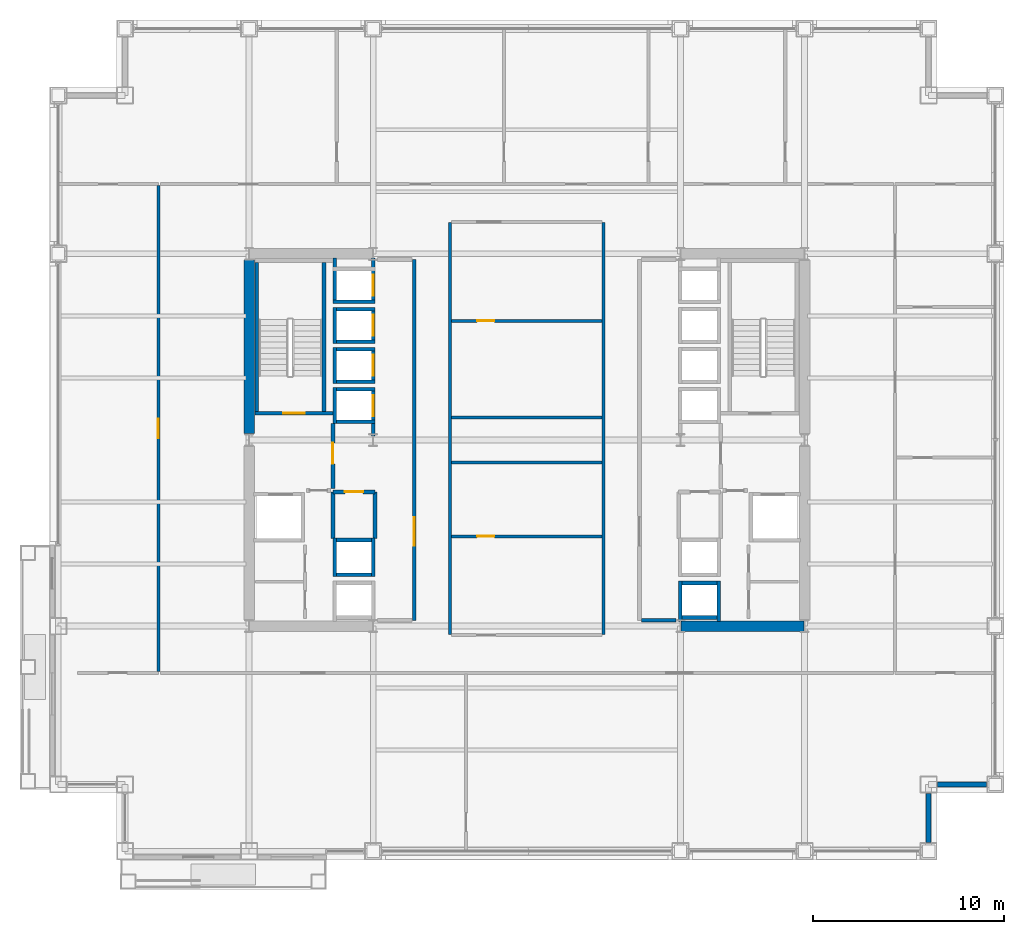
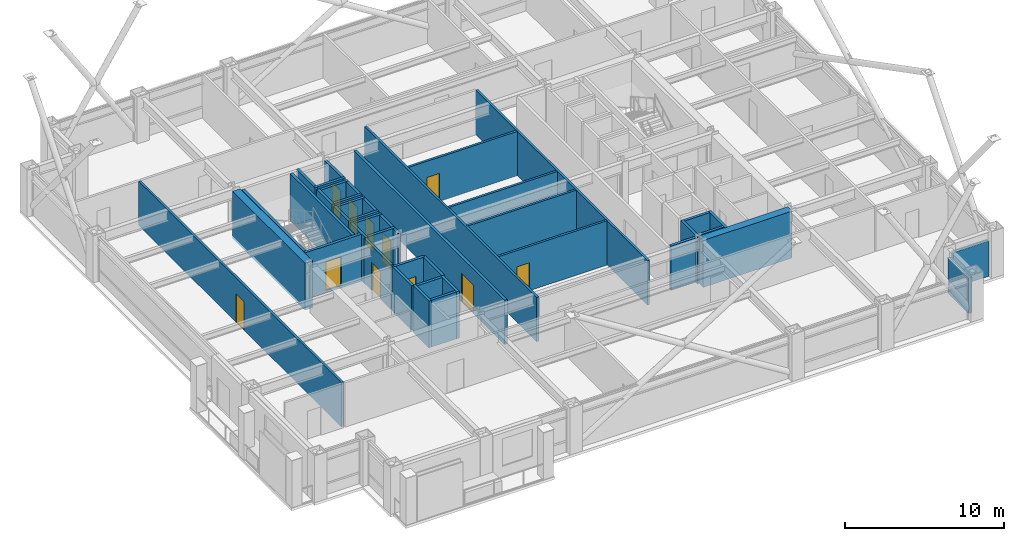
# One storey, part 25 of 29: 43 walls, 11 doors, 11 openings.
"""IFC4 building model written with IfcOpenShell, lengths in metres."""

from ifc_helpers import new_model, si_unit, direction, frame, frame_2d, origin, place, context, subcontext, project, spatial, rectangle, extrude, material, layer, layer_set, type_object, element, fill, save


model = new_model("IFC4")

# Units and contexts
model_context = context("Model", 3, precision=1e-05, world=origin(), true_north=direction((0.0, 1.0)))
body_context = subcontext(model_context, "Body", "Model", "MODEL_VIEW")
ifc_project = project(units=[si_unit("LENGTHUNIT", "METRE"), si_unit("AREAUNIT", "SQUARE_METRE"), si_unit("VOLUMEUNIT", "CUBIC_METRE"), si_unit("PLANEANGLEUNIT", "RADIAN"), si_unit("MASSUNIT", "GRAM", prefix="KILO")], contexts=[model_context])

# Site, building, storey
site_placement = place(None, origin())
site = spatial("IfcSite", under=ifc_project, at=site_placement, CompositionType="ELEMENT")
building_placement = place(site_placement, origin())
building = spatial("IfcBuilding", under=site, at=building_placement, Name="Brelmoor Portico Tower", CompositionType="ELEMENT")
storey_placement = place(building_placement, frame((0.0, 0.0, 67.199951171875)))
storey = spatial("IfcBuildingStorey", under=building, at=storey_placement, Name="L17", CompositionType="ELEMENT", Elevation=67.199951171875)

# Walls
ifc_material_1 = material(Name="Concrete C60", Category="concrete")
ifc_layer_1 = layer(ifc_material_1, 0.550048828125)
ifc_layer_set_1 = layer_set([ifc_layer_1], Name="Concrete C60")
wall_type_1 = type_object("IfcWallType", Name="WL-CORE-550", PredefinedType="SHEAR", material=ifc_layer_set_1)
wall_1_placement = place(storey_placement, frame((-14.550048828125, 0.324951171875, -0.199951171875), z_axis=(0.0, 0.0, 1.0), x_axis=(0.0, 1.0, 0.0)))
element("IfcWall", 1, at=wall_1_placement, inside=storey, type_object=wall_type_1, Name="L17 WC Outer North Shear Wall", PredefinedType="SHEAR", context=body_context, shape_type="SweptSolid", body=[
    extrude(rectangle(XDim=9.10009765625, YDim=0.550048828125, at=frame_2d((4.550048828125, 0.0))), origin(), (0.0, 0.0, 1.0), 3.60009765625),
])
wall_2_placement = place(storey_placement, frame((8.070068359375, -9.75, -0.199951171875), z_axis=(0.0, 0.0, 1.0), x_axis=(1.0, 0.0, 0.0)))
element("IfcWall", 2, at=wall_2_placement, inside=storey, type_object=wall_type_1, Name="L17 EC South Shear Wall", PredefinedType="SHEAR", context=body_context, shape_type="SweptSolid", body=[
    extrude(rectangle(XDim=6.4599609375, YDim=0.550048828125, at=frame_2d((3.22998046875, 0.0))), origin(), (0.0, 0.0, 1.0), 3.60009765625),
])
ifc_material_2 = material(Name="Precast Concrete C40 Insulated Facade Wall", Category="concrete")
ifc_layer_2 = layer(ifc_material_2, 0.25)
ifc_layer_set_2 = layer_set([ifc_layer_2], Name="Precast Concrete C40 Insulated Facade Wall")
wall_type_2 = type_object("IfcWallType", Name="WL-EXT-250", PredefinedType="STANDARD", material=ifc_layer_set_2)
for number, where, z_axis, x_axis, name in (
    (3, (21.510009765625, -18.050048828125, 0.0), (0.0, 0.0, 1.0), (1.0, 0.0, 0.0), "L17 Corner Notch Facade Wall NSEH1"),
    (4, (21.050048828125, -21.090087890625, 0.0), (0.0, 0.0, 1.0), (0.0, 1.0, 0.0), "L17 Corner Notch Facade Wall NSEV1"),
):
    element("IfcWall", number, at=place(storey_placement, frame(where, z_axis=z_axis, x_axis=x_axis)), inside=storey, type_object=wall_type_2, Name=name, PredefinedType="STANDARD", context=body_context, shape_type="SweptSolid", body=[
        extrude(rectangle(XDim=2.580078125, YDim=0.25, at=frame_2d((1.2900390625, 0.0))), origin(), (0.0, 0.0, 1.0), 2.699951171875),
    ])
ifc_material_3 = material(Name="Twin-Frame Acoustic Partition", Category="gypsum")
ifc_layer_3 = layer(ifc_material_3, 0.159912109375)
ifc_layer_set_3 = layer_set([ifc_layer_3], Name="Twin-Frame Acoustic Partition")
wall_type_3 = type_object("IfcWallType", Name="WL-PART-160", PredefinedType="PARTITIONING", material=ifc_layer_set_3)
for number, where, z_axis, x_axis, name in (
    (5, (-4.02001953125, -10.199951171875, 0.0), (0.0, 0.0, 1.0), (0.0, 1.0, 0.0), "L17 Central Suite West Wall"),
    (6, (4.02001953125, -10.199951171875, 0.0), (0.0, 0.0, 1.0), (0.0, 1.0, 0.0), "L17 Central Suite East Wall"),
):
    element("IfcWall", number, at=place(storey_placement, frame(where, z_axis=z_axis, x_axis=x_axis)), inside=storey, type_object=wall_type_3, Name=name, PredefinedType="PARTITIONING", context=body_context, shape_type="SweptSolid", body=[
        extrude(rectangle(XDim=21.599853515625, YDim=0.159912109375, at=frame_2d((10.7998046875, 0.0))), origin(), (0.0, 0.0, 1.0), 3.400146484375),
    ])
for number, where, z_axis, x_axis, name in (
    (7, (-3.949951171875, 1.179931640625, 0.0), (0.0, 0.0, 1.0), (1.0, 0.0, 0.0), "L17 Central Meeting South Wall"),
    (8, (-3.949951171875, -1.179931640625, 0.0), (0.0, 0.0, 1.0), (1.0, 0.0, 0.0), "L17 Central Pantry North Wall"),
):
    element("IfcWall", number, at=place(storey_placement, frame(where, z_axis=z_axis, x_axis=x_axis)), inside=storey, type_object=wall_type_3, Name=name, PredefinedType="PARTITIONING", context=body_context, shape_type="SweptSolid", body=[
        extrude(rectangle(XDim=7.89990234375, YDim=0.159912109375, at=frame_2d((3.949951171875, 0.0))), origin(), (0.0, 0.0, 1.0), 3.400146484375),
    ])

# Wall, opening, door
wall_3_placement = place(storey_placement, frame((-3.949951171875, 6.239990234375, 0.0), z_axis=(0.0, 0.0, 1.0), x_axis=(1.0, 0.0, 0.0)))
wall_3 = element("IfcWall", 9, at=wall_3_placement, inside=storey, type_object=wall_type_3, Name="L17 Central Archive Divider", PredefinedType="PARTITIONING", context=body_context, shape_type="SweptSolid", body=[
    extrude(rectangle(XDim=7.89990234375, YDim=0.159912109375, at=frame_2d((3.949951171875, 0.0))), origin(), (0.0, 0.0, 1.0), 3.400146484375),
])
opening_1_placement = place(wall_3_placement, frame((1.35009765625, 0.0, 0.0)))
opening_1 = element("IfcOpeningElement", 10, at=opening_1_placement, cuts=wall_3, Name="Opening D-IN1", PredefinedType="OPENING", context=body_context, shape_type="SweptSolid", body=[
    extrude(rectangle(XDim=0.89990234375, YDim=2.14990234375, at=frame_2d((0.449951171875, 1.074951171875))), frame((0.0, 0.08984375, 0.0), z_axis=(0.0, -1.0, 0.0), x_axis=(1.0, 0.0, 0.0)), (0.0, 0.0, 1.0), 0.179931640625),
])
ifc_material_4 = material(Name="Lacquered Timber Suite Door", Category="wood")
door_type_1 = type_object("IfcDoorType", Name="DR-INT-900", OperationType="NOTDEFINED", PredefinedType="DOOR", material=ifc_material_4)
door_1_placement = place(opening_1_placement, origin())
door_1 = element("IfcDoor", 11, at=door_1_placement, inside=storey, type_object=door_type_1, Name="D-0754 L17 Central File Room Door", OperationType="SINGLE_SWING_RIGHT", OverallHeight=2.14990234375, OverallWidth=0.89990234375, PredefinedType="DOOR", context=body_context, shape_type="SweptSolid", body=[
    extrude(rectangle(XDim=0.89990234375, YDim=2.14990234375, at=frame_2d((0.449951171875, 1.074951171875))), frame((0.0, 0.02490234375, 0.0), z_axis=(0.0, -1.0, 0.0), x_axis=(1.0, 0.0, 0.0)), (0.0, 0.0, 1.0), 0.050048828125),
])
fill(opening_1, door_1)

wall_4_placement = place(storey_placement, frame((-3.949951171875, -5.050048828125, 0.0), z_axis=(0.0, 0.0, 1.0), x_axis=(1.0, 0.0, 0.0)))
wall_4 = element("IfcWall", 12, at=wall_4_placement, inside=storey, type_object=wall_type_3, Name="L17 Central Print Divider", PredefinedType="PARTITIONING", context=body_context, shape_type="SweptSolid", body=[
    extrude(rectangle(XDim=7.89990234375, YDim=0.159912109375, at=frame_2d((3.949951171875, 0.0))), origin(), (0.0, 0.0, 1.0), 3.400146484375),
])
opening_2_placement = place(wall_4_placement, frame((1.35009765625, 0.0, 0.0)))
opening_2 = element("IfcOpeningElement", 13, at=opening_2_placement, cuts=wall_4, Name="Opening D-IN1", PredefinedType="OPENING", context=body_context, shape_type="SweptSolid", body=[
    extrude(rectangle(XDim=0.89990234375, YDim=2.14990234375, at=frame_2d((0.449951171875, 1.074951171875))), frame((0.0, 0.08984375, 0.0), z_axis=(0.0, -1.0, 0.0), x_axis=(1.0, 0.0, 0.0)), (0.0, 0.0, 1.0), 0.179931640625),
])
door_2_placement = place(opening_2_placement, origin())
door_2 = element("IfcDoor", 14, at=door_2_placement, inside=storey, type_object=door_type_1, Name="D-0756 L17 Central Print Studio Door", OperationType="SINGLE_SWING_LEFT", OverallHeight=2.14990234375, OverallWidth=0.89990234375, PredefinedType="DOOR", context=body_context, shape_type="SweptSolid", body=[
    extrude(rectangle(XDim=0.89990234375, YDim=2.14990234375, at=frame_2d((0.449951171875, 1.074951171875))), frame((0.0, 0.02490234375, 0.0), z_axis=(0.0, -1.0, 0.0), x_axis=(1.0, 0.0, 0.0)), (0.0, 0.0, 1.0), 0.050048828125),
])
fill(opening_2, door_2)

wall_5_placement = place(storey_placement, frame((-19.300048828125, -12.1201171875, 0.0), z_axis=(0.0, 0.0, 1.0), x_axis=(0.0, 1.0, 0.0)))
wall_5 = element("IfcWall", 15, at=wall_5_placement, inside=storey, type_object=wall_type_3, Name="L17 W Wing Corridor Wall", PredefinedType="PARTITIONING", context=body_context, shape_type="SweptSolid", body=[
    extrude(rectangle(XDim=25.440185546875, YDim=0.159912109375, at=frame_2d((12.72021484375, 0.0))), origin(), (0.0, 0.0, 1.0), 3.400146484375),
])
opening_3_placement = place(wall_5_placement, frame((12.2099609375, 0.0, 0.0)))
opening_3 = element("IfcOpeningElement", 16, at=opening_3_placement, cuts=wall_5, Name="Opening D-OF1", PredefinedType="OPENING", context=body_context, shape_type="SweptSolid", body=[
    extrude(rectangle(XDim=1.02001953125, YDim=2.199951171875, at=frame_2d((0.510009765625, 1.10009765625))), frame((0.0, 0.08984375, 0.0), z_axis=(0.0, -1.0, 0.0), x_axis=(1.0, 0.0, 0.0)), (0.0, 0.0, 1.0), 0.179931640625),
])
ifc_material_5 = material(Name="Hardwood Acoustic Veneer Door", Category="wood")
door_type_2 = type_object("IfcDoorType", Name="DR-OFFICE-1000", OperationType="NOTDEFINED", PredefinedType="DOOR", material=ifc_material_5)
door_3_placement = place(opening_3_placement, origin())
door_3 = element("IfcDoor", 17, at=door_3_placement, inside=storey, type_object=door_type_2, Name="D-0794 L17 W Project Strategy Office 1 Door", OperationType="SINGLE_SWING_RIGHT", OverallHeight=2.199951171875, OverallWidth=1.02001953125, PredefinedType="DOOR", context=body_context, shape_type="SweptSolid", body=[
    extrude(rectangle(XDim=1.02001953125, YDim=2.199951171875, at=frame_2d((0.510009765625, 1.10009765625))), frame((0.0, 0.02490234375, 0.0), z_axis=(0.0, -1.0, 0.0), x_axis=(1.0, 0.0, 0.0)), (0.0, 0.0, 1.0), 0.050048828125),
])
fill(opening_3, door_3)

ifc_material_6 = material(Name="Double-Stud Gypsum Fire Partition", Category="gypsum")
ifc_layer_4 = layer(ifc_material_6, 0.199951171875)
ifc_layer_set_4 = layer_set([ifc_layer_4], Name="Double-Stud Gypsum Fire Partition")
wall_type_4 = type_object("IfcWallType", Name="WL-PART-200", PredefinedType="PARTITIONING", material=ifc_layer_set_4)
wall_6_placement = place(storey_placement, frame((-5.89990234375, -9.449951171875, 0.0), z_axis=(0.0, 0.0, 1.0), x_axis=(0.0, 1.0, 0.0)))
wall_6 = element("IfcWall", 18, at=wall_6_placement, inside=storey, type_object=wall_type_4, Name="L17 W Core Lobby Compartment Wall", PredefinedType="PARTITIONING", context=body_context, shape_type="SweptSolid", body=[
    extrude(rectangle(XDim=18.89990234375, YDim=0.199951171875, at=frame_2d((9.449951171875, 0.0))), origin(), (0.0, 0.0, 1.0), 3.400146484375),
])
opening_4_placement = place(wall_6_placement, frame((3.89990234375, 0.0, 0.0)))
opening_4 = element("IfcOpeningElement", 19, at=opening_4_placement, cuts=wall_6, Name="Opening D-LB1", PredefinedType="OPENING", context=body_context, shape_type="SweptSolid", body=[
    extrude(rectangle(XDim=1.5, YDim=2.199951171875, at=frame_2d((0.75, 1.10009765625))), frame((0.0, 0.10986328125, 0.0), z_axis=(0.0, -1.0, 0.0), x_axis=(1.0, 0.0, 0.0)), (0.0, 0.0, 1.0), 0.219970703125),
])
ifc_material_7 = material(Name="Double-Leaf Glazed Steel Fire Door", Category="steel")
door_type_3 = type_object("IfcDoorType", Name="DR-LOBBY-1500", OperationType="NOTDEFINED", PredefinedType="DOOR", material=ifc_material_7)
door_4_placement = place(opening_4_placement, origin())
door_4 = element("IfcDoor", 20, at=door_4_placement, inside=storey, type_object=door_type_3, Name="D-0768 L17 W Lift Lobby Main Door", OperationType="DOUBLE_DOOR_SINGLE_SWING", OverallHeight=2.199951171875, OverallWidth=1.5, PredefinedType="DOOR", context=body_context, shape_type="SweptSolid", body=[
    extrude(rectangle(XDim=1.5, YDim=2.199951171875, at=frame_2d((0.75, 1.10009765625))), frame((0.0, 0.02490234375, 0.0), z_axis=(0.0, -1.0, 0.0), x_axis=(1.0, 0.0, 0.0)), (0.0, 0.0, 1.0), 0.050048828125),
])
fill(opening_4, door_4)

wall_7_placement = place(storey_placement, frame((-10.159912109375, -2.550048828125, 0.0), z_axis=(0.0, 0.0, 1.0), x_axis=(0.0, 1.0, 0.0)))
wall_7 = element("IfcWall", 21, at=wall_7_placement, inside=storey, type_object=wall_type_4, Name="L17 W Firefighting Lobby Wall", PredefinedType="PARTITIONING", context=body_context, shape_type="SweptSolid", body=[
    extrude(rectangle(XDim=3.400146484375, YDim=0.199951171875, at=frame_2d((1.7001953125, 0.0))), origin(), (0.0, 0.0, 1.0), 3.400146484375),
])
opening_5_placement = place(wall_7_placement, frame((1.300048828125, 0.0, 0.0)))
opening_5 = element("IfcOpeningElement", 22, at=opening_5_placement, cuts=wall_7, Name="Opening D-FR1", PredefinedType="OPENING", context=body_context, shape_type="SweptSolid", body=[
    extrude(rectangle(XDim=1.10009765625, YDim=2.14990234375, at=frame_2d((0.550048828125, 1.074951171875))), frame((0.0, 0.10986328125, 0.0), z_axis=(0.0, -1.0, 0.0), x_axis=(1.0, 0.0, 0.0)), (0.0, 0.0, 1.0), 0.219970703125),
])
ifc_material_8 = material(Name="Painted Galvanised Steel Fire Door", Category="steel")
door_type_4 = type_object("IfcDoorType", Name="DR-FIRE-1100", OperationType="NOTDEFINED", PredefinedType="DOOR", material=ifc_material_8)
door_5_placement = place(opening_5_placement, origin())
door_5 = element("IfcDoor", 23, at=door_5_placement, inside=storey, type_object=door_type_4, Name="D-0766 L17 W Firefighting Lobby Door", OperationType="SINGLE_SWING_RIGHT", OverallHeight=2.14990234375, OverallWidth=1.10009765625, PredefinedType="DOOR", context=body_context, shape_type="SweptSolid", body=[
    extrude(rectangle(XDim=1.10009765625, YDim=2.14990234375, at=frame_2d((0.550048828125, 1.074951171875))), frame((0.0, 0.02490234375, 0.0), z_axis=(0.0, -1.0, 0.0), x_axis=(1.0, 0.0, 0.0)), (0.0, 0.0, 1.0), 0.050048828125),
])
fill(opening_5, door_5)

wall_8_placement = place(storey_placement, frame((-7.9599609375, -2.719970703125, 0.0), z_axis=(0.0, 0.0, 1.0), x_axis=(-1.0, 0.0, 0.0)))
wall_8 = element("IfcWall", 24, at=wall_8_placement, inside=storey, type_object=wall_type_4, Name="L17 W Electrical Switchgear Closet Wall", PredefinedType="PARTITIONING", context=body_context, shape_type="SweptSolid", body=[
    extrude(rectangle(XDim=2.199951171875, YDim=0.199951171875, at=frame_2d((1.10009765625, 0.0))), origin(), (0.0, 0.0, 1.0), 3.400146484375),
])
opening_6_placement = place(wall_8_placement, frame((0.6201171875, 0.0, 0.0)))
opening_6 = element("IfcOpeningElement", 25, at=opening_6_placement, cuts=wall_8, Name="Opening D-FR4", PredefinedType="OPENING", context=body_context, shape_type="SweptSolid", body=[
    extrude(rectangle(XDim=0.949951171875, YDim=2.10009765625, at=frame_2d((0.47509765625, 1.050048828125))), frame((0.0, 0.10986328125, 0.0), z_axis=(0.0, -1.0, 0.0), x_axis=(1.0, 0.0, 0.0)), (0.0, 0.0, 1.0), 0.219970703125),
])
ifc_material_9 = material(Name="Painted Galvanised Steel Riser Door", Category="steel")
door_type_5 = type_object("IfcDoorType", Name="DR-FIRE-950", OperationType="NOTDEFINED", PredefinedType="DOOR", material=ifc_material_9)
door_6_placement = place(opening_6_placement, origin())
door_6 = element("IfcDoor", 26, at=door_6_placement, inside=storey, type_object=door_type_5, Name="D-0764 L17 W Electrical Switchgear Closet Door", OperationType="SINGLE_SWING_RIGHT", OverallHeight=2.10009765625, OverallWidth=0.949951171875, PredefinedType="DOOR", context=body_context, shape_type="SweptSolid", body=[
    extrude(rectangle(XDim=0.949951171875, YDim=2.10009765625, at=frame_2d((0.47509765625, 1.050048828125))), frame((0.0, 0.02490234375, 0.0), z_axis=(0.0, -1.0, 0.0), x_axis=(1.0, 0.0, 0.0)), (0.0, 0.0, 1.0), 0.050048828125),
])
fill(opening_6, door_6)

# Walls
for number, where, z_axis, x_axis, name in (
    (27, (-7.9599609375, -5.159912109375, 0.0), (0.0, 0.0, 1.0), (0.0, 1.0, 0.0), "L17 W Electrical Switchgear Closet Inner Wall"),
    (28, (-10.159912109375, -5.159912109375, 0.0), (0.0, 0.0, 1.0), (0.0, 1.0, 0.0), "L17 W Electrical Switchgear Closet Outer Wall"),
):
    element("IfcWall", number, at=place(storey_placement, frame(where, z_axis=z_axis, x_axis=x_axis)), inside=storey, type_object=wall_type_4, Name=name, PredefinedType="PARTITIONING", context=body_context, shape_type="SweptSolid", body=[
        extrude(rectangle(XDim=2.43994140625, YDim=0.199951171875, at=frame_2d((1.219970703125, 0.0))), origin(), (0.0, 0.0, 1.0), 3.400146484375),
    ])
wall_9_placement = place(storey_placement, frame((6.02001953125, -9.449951171875, 0.0), z_axis=(0.0, 0.0, 1.0), x_axis=(1.0, 0.0, 0.0)))
element("IfcWall", 29, at=wall_9_placement, inside=storey, type_object=wall_type_4, Name="L17 E Lift Lobby South End Wall", PredefinedType="PARTITIONING", context=body_context, shape_type="SweptSolid", body=[
    extrude(rectangle(XDim=1.800048828125, YDim=0.199951171875, at=frame_2d((0.89990234375, 0.0))), origin(), (0.0, 0.0, 1.0), 3.400146484375),
])

# Wall, opening, door
ifc_material_10 = material(Name="Precast Concrete C40", Category="concrete")
ifc_layer_5 = layer(ifc_material_10, 0.18994140625)
ifc_layer_set_5 = layer_set([ifc_layer_5], Name="Precast Concrete C40")
wall_type_5 = type_object("IfcWallType", Name="WL-SHAFT-180", PredefinedType="SOLIDWALL", material=ifc_layer_set_5)
wall_10_placement = place(storey_placement, frame((-8.044921875, 0.2099609375, -0.199951171875), z_axis=(0.0, 0.0, 1.0), x_axis=(0.0, 1.0, 0.0)))
wall_10 = element("IfcWall", 30, at=wall_10_placement, inside=storey, type_object=wall_type_5, Name="L17 Lift PL1 Hoistway Front Wall", PredefinedType="SOLIDWALL", context=body_context, shape_type="SweptSolid", body=[
    extrude(rectangle(XDim=2.5400390625, YDim=0.18994140625, at=frame_2d((1.27001953125, 0.0))), origin(), (0.0, 0.0, 1.0), 3.60009765625),
])
opening_7_placement = place(wall_10_placement, frame((1.0400390625, 0.0, 0.199951171875)))
opening_7 = element("IfcOpeningElement", 31, at=opening_7_placement, cuts=wall_10, Name="Opening LD-01", PredefinedType="OPENING", context=body_context, shape_type="SweptSolid", body=[
    extrude(rectangle(XDim=1.10009765625, YDim=2.199951171875, at=frame_2d((0.550048828125, 1.10009765625))), frame((0.0, 0.10498046875, 0.0), z_axis=(0.0, -1.0, 0.0), x_axis=(1.0, 0.0, 0.0)), (0.0, 0.0, 1.0), 0.2099609375),
])
ifc_material_11 = material(Name="Brushed Stainless Steel Sliding Lift Door", Category="steel")
door_type_6 = type_object("IfcDoorType", Name="DR-LIFT-1100", OperationType="NOTDEFINED", PredefinedType="DOOR", material=ifc_material_11)
door_7_placement = place(opening_7_placement, origin())
door_7 = element("IfcDoor", 32, at=door_7_placement, inside=storey, type_object=door_type_6, Name="D-0797 L17 Lift PL1 Sliding Landing Door", OperationType="SLIDING_TO_LEFT", OverallHeight=2.199951171875, OverallWidth=1.10009765625, PredefinedType="DOOR", context=body_context, shape_type="SweptSolid", body=[
    extrude(rectangle(XDim=1.10009765625, YDim=2.199951171875, at=frame_2d((0.550048828125, 1.10009765625))), frame((0.0, 0.02490234375, 0.0), z_axis=(0.0, -1.0, 0.0), x_axis=(1.0, 0.0, 0.0)), (0.0, 0.0, 1.0), 0.050048828125),
])
fill(opening_7, door_7)

# Walls
wall_11_placement = place(storey_placement, frame((-10.054931640625, 0.85009765625, -0.199951171875), z_axis=(0.0, 0.0, 1.0), x_axis=(0.0, 1.0, 0.0)))
element("IfcWall", 33, at=wall_11_placement, inside=storey, type_object=wall_type_5, Name="L17 Lift PL1 Hoistway Back Wall", PredefinedType="SOLIDWALL", context=body_context, shape_type="SweptSolid", body=[
    extrude(rectangle(XDim=1.89990234375, YDim=0.18994140625, at=frame_2d((0.949951171875, 0.0))), origin(), (0.0, 0.0, 1.0), 3.60009765625),
])
for number, where, z_axis, x_axis, name in (
    (34, (-10.14990234375, 2.655029296875, -0.199951171875), (0.0, 0.0, 1.0), (1.0, 0.0, 0.0), "L17 Lift PL1 Hoistway North Wall"),
    (35, (-10.14990234375, 0.945068359375, -0.199951171875), (0.0, 0.0, 1.0), (1.0, 0.0, 0.0), "L17 Lift PL1 Hoistway South Wall"),
):
    element("IfcWall", number, at=place(storey_placement, frame(where, z_axis=z_axis, x_axis=x_axis)), inside=storey, type_object=wall_type_5, Name=name, PredefinedType="SOLIDWALL", context=body_context, shape_type="SweptSolid", body=[
        extrude(rectangle(XDim=2.199951171875, YDim=0.18994140625, at=frame_2d((1.10009765625, 0.0))), origin(), (0.0, 0.0, 1.0), 3.60009765625),
    ])

# Wall, opening, door
wall_12_placement = place(storey_placement, frame((-8.044921875, 2.949951171875, -0.199951171875), z_axis=(0.0, 0.0, 1.0), x_axis=(0.0, 1.0, 0.0)))
wall_12 = element("IfcWall", 36, at=wall_12_placement, inside=storey, type_object=wall_type_5, Name="L17 Lift PL2 Hoistway Front Wall", PredefinedType="SOLIDWALL", context=body_context, shape_type="SweptSolid", body=[
    extrude(rectangle(XDim=1.900146484375, YDim=0.18994140625, at=frame_2d((0.9501953125, 0.0))), origin(), (0.0, 0.0, 1.0), 3.60009765625),
])
opening_8_placement = place(wall_12_placement, frame((0.39990234375, 0.0, 0.199951171875)))
opening_8 = element("IfcOpeningElement", 37, at=opening_8_placement, cuts=wall_12, Name="Opening LD-01", PredefinedType="OPENING", context=body_context, shape_type="SweptSolid", body=[
    extrude(rectangle(XDim=1.10009765625, YDim=2.199951171875, at=frame_2d((0.550048828125, 1.10009765625))), frame((0.0, 0.10498046875, 0.0), z_axis=(0.0, -1.0, 0.0), x_axis=(1.0, 0.0, 0.0)), (0.0, 0.0, 1.0), 0.2099609375),
])
door_8_placement = place(opening_8_placement, origin())
door_8 = element("IfcDoor", 38, at=door_8_placement, inside=storey, type_object=door_type_6, Name="D-0798 L17 Lift PL2 Sliding Landing Door", OperationType="SLIDING_TO_LEFT", OverallHeight=2.199951171875, OverallWidth=1.10009765625, PredefinedType="DOOR", context=body_context, shape_type="SweptSolid", body=[
    extrude(rectangle(XDim=1.10009765625, YDim=2.199951171875, at=frame_2d((0.550048828125, 1.10009765625))), frame((0.0, 0.02490234375, 0.0), z_axis=(0.0, -1.0, 0.0), x_axis=(1.0, 0.0, 0.0)), (0.0, 0.0, 1.0), 0.050048828125),
])
fill(opening_8, door_8)

# Walls
wall_13_placement = place(storey_placement, frame((-10.054931640625, 2.949951171875, -0.199951171875), z_axis=(0.0, 0.0, 1.0), x_axis=(0.0, 1.0, 0.0)))
element("IfcWall", 39, at=wall_13_placement, inside=storey, type_object=wall_type_5, Name="L17 Lift PL2 Hoistway Back Wall", PredefinedType="SOLIDWALL", context=body_context, shape_type="SweptSolid", body=[
    extrude(rectangle(XDim=1.900146484375, YDim=0.18994140625, at=frame_2d((0.9501953125, 0.0))), origin(), (0.0, 0.0, 1.0), 3.60009765625),
])
for number, where, z_axis, x_axis, name in (
    (40, (-10.14990234375, 4.7548828125, -0.199951171875), (0.0, 0.0, 1.0), (1.0, 0.0, 0.0), "L17 Lift PL2 Hoistway North Wall"),
    (41, (-10.14990234375, 3.044921875, -0.199951171875), (0.0, 0.0, 1.0), (1.0, 0.0, 0.0), "L17 Lift PL2 Hoistway South Wall"),
):
    element("IfcWall", number, at=place(storey_placement, frame(where, z_axis=z_axis, x_axis=x_axis)), inside=storey, type_object=wall_type_5, Name=name, PredefinedType="SOLIDWALL", context=body_context, shape_type="SweptSolid", body=[
        extrude(rectangle(XDim=2.199951171875, YDim=0.18994140625, at=frame_2d((1.10009765625, 0.0))), origin(), (0.0, 0.0, 1.0), 3.60009765625),
    ])

# Wall, opening, door
wall_14_placement = place(storey_placement, frame((-8.044921875, 5.050048828125, -0.199951171875), z_axis=(0.0, 0.0, 1.0), x_axis=(0.0, 1.0, 0.0)))
wall_14 = element("IfcWall", 42, at=wall_14_placement, inside=storey, type_object=wall_type_5, Name="L17 Lift PL3 Hoistway Front Wall", PredefinedType="SOLIDWALL", context=body_context, shape_type="SweptSolid", body=[
    extrude(rectangle(XDim=1.89990234375, YDim=0.18994140625, at=frame_2d((0.949951171875, 0.0))), origin(), (0.0, 0.0, 1.0), 3.60009765625),
])
opening_9_placement = place(wall_14_placement, frame((0.39990234375, 0.0, 0.199951171875)))
opening_9 = element("IfcOpeningElement", 43, at=opening_9_placement, cuts=wall_14, Name="Opening LD-01", PredefinedType="OPENING", context=body_context, shape_type="SweptSolid", body=[
    extrude(rectangle(XDim=1.10009765625, YDim=2.199951171875, at=frame_2d((0.550048828125, 1.10009765625))), frame((0.0, 0.10498046875, 0.0), z_axis=(0.0, -1.0, 0.0), x_axis=(1.0, 0.0, 0.0)), (0.0, 0.0, 1.0), 0.2099609375),
])
door_9_placement = place(opening_9_placement, origin())
door_9 = element("IfcDoor", 44, at=door_9_placement, inside=storey, type_object=door_type_6, Name="D-0799 L17 Lift PL3 Sliding Landing Door", OperationType="SLIDING_TO_LEFT", OverallHeight=2.199951171875, OverallWidth=1.10009765625, PredefinedType="DOOR", context=body_context, shape_type="SweptSolid", body=[
    extrude(rectangle(XDim=1.10009765625, YDim=2.199951171875, at=frame_2d((0.550048828125, 1.10009765625))), frame((0.0, 0.02490234375, 0.0), z_axis=(0.0, -1.0, 0.0), x_axis=(1.0, 0.0, 0.0)), (0.0, 0.0, 1.0), 0.050048828125),
])
fill(opening_9, door_9)

# Walls
wall_15_placement = place(storey_placement, frame((-10.054931640625, 5.050048828125, -0.199951171875), z_axis=(0.0, 0.0, 1.0), x_axis=(0.0, 1.0, 0.0)))
element("IfcWall", 45, at=wall_15_placement, inside=storey, type_object=wall_type_5, Name="L17 Lift PL3 Hoistway Back Wall", PredefinedType="SOLIDWALL", context=body_context, shape_type="SweptSolid", body=[
    extrude(rectangle(XDim=1.89990234375, YDim=0.18994140625, at=frame_2d((0.949951171875, 0.0))), origin(), (0.0, 0.0, 1.0), 3.60009765625),
])
for number, where, z_axis, x_axis, name in (
    (46, (-10.14990234375, 6.85498046875, -0.199951171875), (0.0, 0.0, 1.0), (1.0, 0.0, 0.0), "L17 Lift PL3 Hoistway North Wall"),
    (47, (-10.14990234375, 5.14501953125, -0.199951171875), (0.0, 0.0, 1.0), (1.0, 0.0, 0.0), "L17 Lift PL3 Hoistway South Wall"),
):
    element("IfcWall", number, at=place(storey_placement, frame(where, z_axis=z_axis, x_axis=x_axis)), inside=storey, type_object=wall_type_5, Name=name, PredefinedType="SOLIDWALL", context=body_context, shape_type="SweptSolid", body=[
        extrude(rectangle(XDim=2.199951171875, YDim=0.18994140625, at=frame_2d((1.10009765625, 0.0))), origin(), (0.0, 0.0, 1.0), 3.60009765625),
    ])

# Wall, opening, door
wall_16_placement = place(storey_placement, frame((-8.044921875, 7.14990234375, -0.199951171875), z_axis=(0.0, 0.0, 1.0), x_axis=(0.0, 1.0, 0.0)))
wall_16 = element("IfcWall", 48, at=wall_16_placement, inside=storey, type_object=wall_type_5, Name="L17 Lift PL4 Hoistway Front Wall", PredefinedType="SOLIDWALL", context=body_context, shape_type="SweptSolid", body=[
    extrude(rectangle(XDim=2.3701171875, YDim=0.18994140625, at=frame_2d((1.18505859375, 0.0))), origin(), (0.0, 0.0, 1.0), 3.60009765625),
])
opening_10_placement = place(wall_16_placement, frame((0.39990234375, 0.0, 0.199951171875)))
opening_10 = element("IfcOpeningElement", 49, at=opening_10_placement, cuts=wall_16, Name="Opening LD-01", PredefinedType="OPENING", context=body_context, shape_type="SweptSolid", body=[
    extrude(rectangle(XDim=1.10009765625, YDim=2.199951171875, at=frame_2d((0.550048828125, 1.10009765625))), frame((0.0, 0.10498046875, 0.0), z_axis=(0.0, -1.0, 0.0), x_axis=(1.0, 0.0, 0.0)), (0.0, 0.0, 1.0), 0.2099609375),
])
door_10_placement = place(opening_10_placement, origin())
door_10 = element("IfcDoor", 50, at=door_10_placement, inside=storey, type_object=door_type_6, Name="D-0800 L17 Lift PL4 Sliding Landing Door", OperationType="SLIDING_TO_LEFT", OverallHeight=2.199951171875, OverallWidth=1.10009765625, PredefinedType="DOOR", context=body_context, shape_type="SweptSolid", body=[
    extrude(rectangle(XDim=1.10009765625, YDim=2.199951171875, at=frame_2d((0.550048828125, 1.10009765625))), frame((0.0, 0.02490234375, 0.0), z_axis=(0.0, -1.0, 0.0), x_axis=(1.0, 0.0, 0.0)), (0.0, 0.0, 1.0), 0.050048828125),
])
fill(opening_10, door_10)

# Walls
wall_17_placement = place(storey_placement, frame((-10.054931640625, 7.14990234375, -0.199951171875), z_axis=(0.0, 0.0, 1.0), x_axis=(0.0, 1.0, 0.0)))
element("IfcWall", 51, at=wall_17_placement, inside=storey, type_object=wall_type_5, Name="L17 Lift PL4 Hoistway Back Wall", PredefinedType="SOLIDWALL", context=body_context, shape_type="SweptSolid", body=[
    extrude(rectangle(XDim=2.3701171875, YDim=0.18994140625, at=frame_2d((1.18505859375, 0.0))), origin(), (0.0, 0.0, 1.0), 3.60009765625),
])
wall_18_placement = place(storey_placement, frame((-10.14990234375, 7.2451171875, -0.199951171875), z_axis=(0.0, 0.0, 1.0), x_axis=(1.0, 0.0, 0.0)))
element("IfcWall", 52, at=wall_18_placement, inside=storey, type_object=wall_type_5, Name="L17 Lift PL4 Hoistway South Wall", PredefinedType="SOLIDWALL", context=body_context, shape_type="SweptSolid", body=[
    extrude(rectangle(XDim=2.199951171875, YDim=0.18994140625, at=frame_2d((1.10009765625, 0.0))), origin(), (0.0, 0.0, 1.0), 3.60009765625),
])
for number, where, z_axis, x_axis, name in (
    (53, (-8.044921875, -7.14990234375, -0.199951171875), (0.0, 0.0, 1.0), (0.0, 1.0, 0.0), "L17 Lift PH2 Hoistway Front Wall"),
    (54, (-10.054931640625, -7.14990234375, -0.199951171875), (0.0, 0.0, 1.0), (0.0, 1.0, 0.0), "L17 Lift PH2 Hoistway Back Wall"),
):
    element("IfcWall", number, at=place(storey_placement, frame(where, z_axis=z_axis, x_axis=x_axis)), inside=storey, type_object=wall_type_5, Name=name, PredefinedType="SOLIDWALL", context=body_context, shape_type="SweptSolid", body=[
        extrude(rectangle(XDim=2.0, YDim=0.18994140625, at=frame_2d((1.0, 0.0))), origin(), (0.0, 0.0, 1.0), 3.60009765625),
    ])
for number, where, z_axis, x_axis, name in (
    (55, (-10.14990234375, -5.2451171875, -0.199951171875), (0.0, 0.0, 1.0), (1.0, 0.0, 0.0), "L17 Lift PH2 Hoistway North Wall"),
    (56, (-10.14990234375, -7.054931640625, -0.199951171875), (0.0, 0.0, 1.0), (1.0, 0.0, 0.0), "L17 Lift PH2 Hoistway South Wall"),
):
    element("IfcWall", number, at=place(storey_placement, frame(where, z_axis=z_axis, x_axis=x_axis)), inside=storey, type_object=wall_type_5, Name=name, PredefinedType="SOLIDWALL", context=body_context, shape_type="SweptSolid", body=[
        extrude(rectangle(XDim=2.199951171875, YDim=0.18994140625, at=frame_2d((1.10009765625, 0.0))), origin(), (0.0, 0.0, 1.0), 3.60009765625),
    ])
for number, where, z_axis, x_axis, name in (
    (57, (8.044921875, -9.52001953125, -0.199951171875), (0.0, 0.0, 1.0), (0.0, 1.0, 0.0), "L17 Lift PH3 Hoistway Front Wall"),
    (58, (10.054931640625, -9.52001953125, -0.199951171875), (0.0, 0.0, 1.0), (0.0, 1.0, 0.0), "L17 Lift PH3 Hoistway Back Wall"),
):
    element("IfcWall", number, at=place(storey_placement, frame(where, z_axis=z_axis, x_axis=x_axis)), inside=storey, type_object=wall_type_5, Name=name, PredefinedType="SOLIDWALL", context=body_context, shape_type="SweptSolid", body=[
        extrude(rectangle(XDim=2.1201171875, YDim=0.18994140625, at=frame_2d((1.06005859375, 0.0))), origin(), (0.0, 0.0, 1.0), 3.60009765625),
    ])
for number, where, z_axis, x_axis, name in (
    (59, (7.949951171875, -7.4951171875, -0.199951171875), (0.0, 0.0, 1.0), (1.0, 0.0, 0.0), "L17 Lift PH3 Hoistway North Wall"),
    (60, (7.949951171875, -9.304931640625, -0.199951171875), (0.0, 0.0, 1.0), (1.0, 0.0, 0.0), "L17 Lift PH3 Hoistway South Wall"),
):
    element("IfcWall", number, at=place(storey_placement, frame(where, z_axis=z_axis, x_axis=x_axis)), inside=storey, type_object=wall_type_5, Name=name, PredefinedType="SOLIDWALL", context=body_context, shape_type="SweptSolid", body=[
        extrude(rectangle(XDim=2.199951171875, YDim=0.18994140625, at=frame_2d((1.10009765625, 0.0))), origin(), (0.0, 0.0, 1.0), 3.60009765625),
    ])
ifc_material_12 = material(Name="Concrete C40", Category="concrete")
ifc_layer_6 = layer(ifc_material_12, 0.199951171875)
ifc_layer_set_6 = layer_set([ifc_layer_6], Name="Concrete C40")
wall_type_6 = type_object("IfcWallType", Name="WL-SHAFT-RC200", PredefinedType="SOLIDWALL", material=ifc_layer_set_6)
wall_19_placement = place(storey_placement, frame((-14.14990234375, 1.5, -0.199951171875), z_axis=(0.0, 0.0, 1.0), x_axis=(0.0, 1.0, 0.0)))
element("IfcWall", 61, at=wall_19_placement, inside=storey, type_object=wall_type_6, Name="L17 ST-W Structural Stair Wall Outer", PredefinedType="SOLIDWALL", context=body_context, shape_type="SweptSolid", body=[
    extrude(rectangle(XDim=7.800048828125, YDim=0.199951171875, at=frame_2d((3.89990234375, 0.0))), origin(), (0.0, 0.0, 1.0), 3.60009765625),
])

# Wall, opening, door
wall_20_placement = place(storey_placement, frame((-14.25, 1.39990234375, -0.199951171875), z_axis=(0.0, 0.0, 1.0), x_axis=(1.0, 0.0, 0.0)))
wall_20 = element("IfcWall", 62, at=wall_20_placement, inside=storey, type_object=wall_type_6, Name="L17 ST-W Structural Stair Wall S", PredefinedType="SOLIDWALL", context=body_context, shape_type="SweptSolid", body=[
    extrude(rectangle(XDim=4.10009765625, YDim=0.199951171875, at=frame_2d((2.050048828125, 0.0))), origin(), (0.0, 0.0, 1.0), 3.60009765625),
])
opening_11_placement = place(wall_20_placement, frame((1.5, 0.0, 0.199951171875)))
opening_11 = element("IfcOpeningElement", 63, at=opening_11_placement, cuts=wall_20, Name="Opening D-ST1", PredefinedType="OPENING", context=body_context, shape_type="SweptSolid", body=[
    extrude(rectangle(XDim=1.1201171875, YDim=2.179931640625, at=frame_2d((0.56005859375, 1.08984375))), frame((0.0, 0.10986328125, 0.0), z_axis=(0.0, -1.0, 0.0), x_axis=(1.0, 0.0, 0.0)), (0.0, 0.0, 1.0), 0.219970703125),
])
door_type_7 = type_object("IfcDoorType", Name="DR-STAIR-1100", OperationType="NOTDEFINED", PredefinedType="DOOR", material=ifc_material_8)
door_11_placement = place(opening_11_placement, origin())
door_11 = element("IfcDoor", 64, at=door_11_placement, inside=storey, type_object=door_type_7, Name="D-0784 L17 ST-W Protected Exit Stair Door", OperationType="SINGLE_SWING_LEFT", OverallHeight=2.179931640625, OverallWidth=1.1201171875, PredefinedType="DOOR", context=body_context, shape_type="SweptSolid", body=[
    extrude(rectangle(XDim=1.1201171875, YDim=2.179931640625, at=frame_2d((0.56005859375, 1.08984375))), frame((0.0, 0.02490234375, 0.0), z_axis=(0.0, -1.0, 0.0), x_axis=(1.0, 0.0, 0.0)), (0.0, 0.0, 1.0), 0.050048828125),
])
fill(opening_11, door_11)

# Wall
wall_21_placement = place(storey_placement, frame((-10.6298828125, 1.5, -0.199951171875), z_axis=(0.0, 0.0, 1.0), x_axis=(0.0, 1.0, 0.0)))
element("IfcWall", 65, at=wall_21_placement, inside=storey, type_object=wall_type_6, Name="L17 ST-W Structural Stair Wall Inner", PredefinedType="SOLIDWALL", context=body_context, shape_type="SweptSolid", body=[
    extrude(rectangle(XDim=7.800048828125, YDim=0.199951171875, at=frame_2d((3.89990234375, 0.0))), origin(), (0.0, 0.0, 1.0), 3.60009765625),
])

save(model, "model.ifc")
